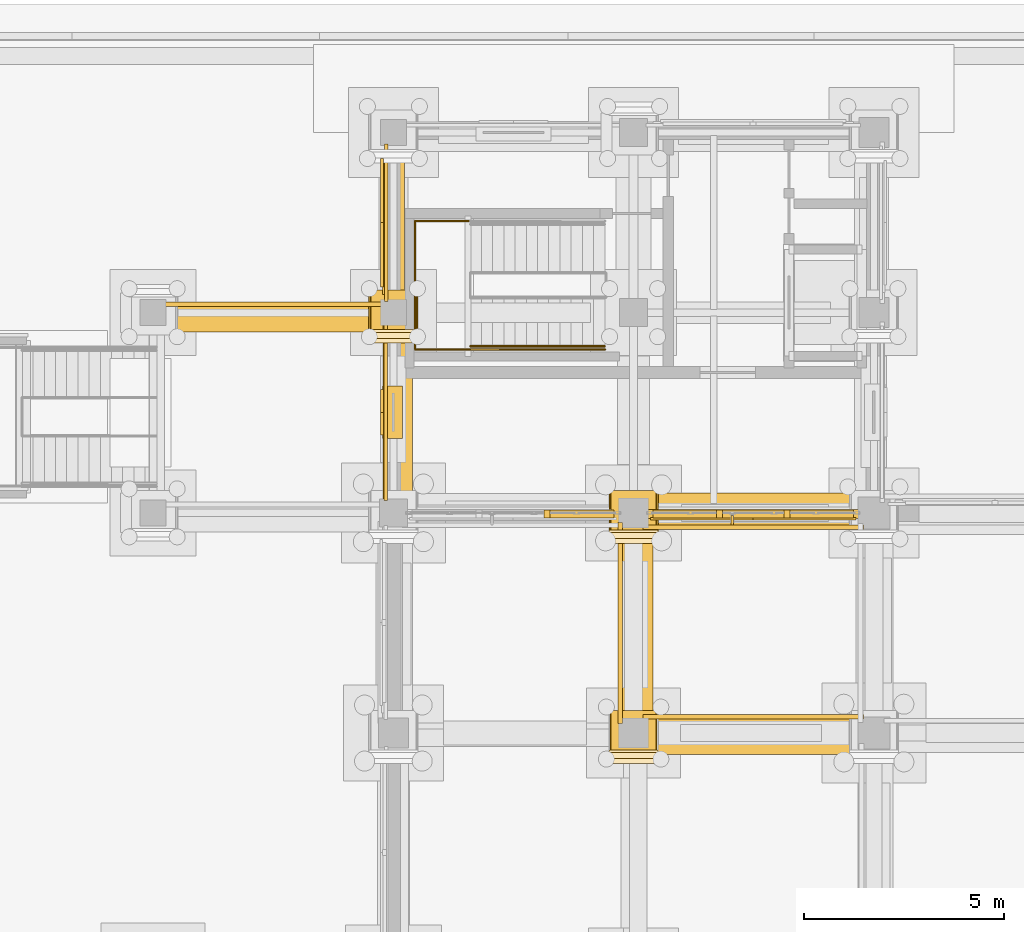
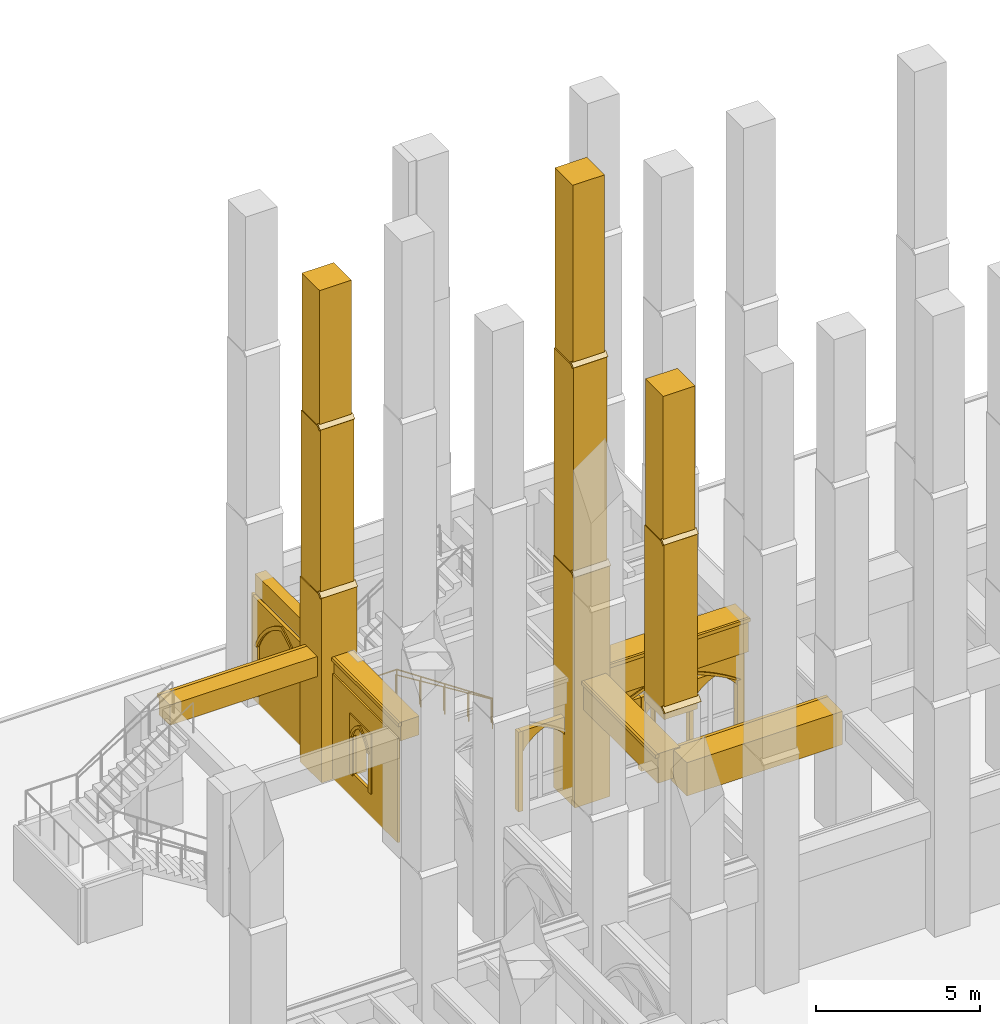
# One storey, part 90 of 135: 40 coverings, 3 railings, 1 shading device.
"""IFC4 building model written with IfcOpenShell, lengths in metres."""

from ifc_helpers import new_model, si_unit, direction, frame, origin, origin_2d, place, context, subcontext, project, spatial, polyline, rectangle, circle, outline, extrude, material, type_object, element, save


model = new_model("IFC4")

# Units and contexts
model_context = context("Model", 3, precision=1e-05, world=origin(), true_north=direction((0.0, 1.0)))
body_context = subcontext(model_context, "Body", "Model", "MODEL_VIEW")
ifc_project = project(units=[si_unit("LENGTHUNIT", "METRE"), si_unit("AREAUNIT", "SQUARE_METRE"), si_unit("VOLUMEUNIT", "CUBIC_METRE"), si_unit("PLANEANGLEUNIT", "RADIAN"), si_unit("MASSUNIT", "GRAM", prefix="KILO")], contexts=[model_context])

# Site, building, storey
site_placement = place(None, origin())
site = spatial("IfcSite", under=ifc_project, at=site_placement, CompositionType="ELEMENT")
building_placement = place(site_placement, origin())
building = spatial("IfcBuilding", under=site, at=building_placement, Name="Cumevento Cable Car Station", CompositionType="ELEMENT")
storey_placement = place(building_placement, origin())
storey = spatial("IfcBuildingStorey", under=building, at=storey_placement, Name="L01", CompositionType="ELEMENT", Elevation=0.0)

# Railings
ifc_material_1 = material(Name="Painted Galvanised Architectural Steel", Category="steel")
railing_type_1 = type_object("IfcRailingType", Name="Stair Guardrail GR-S115", PredefinedType="GUARDRAIL", material=ifc_material_1)
railing_1_placement = place(storey_placement, frame((23.919921875, 60.580078125, 2.25)))
element("IfcRailing", 1, at=railing_1_placement, inside=storey, type_object=railing_type_1, Name="Stair Half-Landing Guardrail ST-04-L01", PredefinedType="GUARDRAIL", context=body_context, shape_type="SweptSolid", body=[
    extrude(circle(Radius=0.02392578125, at=origin_2d()), frame((0.0, 0.0, 1.1259765625), z_axis=(-1.0, 0.0, 0.0), x_axis=(0.0, -1.0, 0.0)), (0.0, 0.0, 1.0), 1.3798828125),
    extrude(circle(Radius=0.02392578125, at=origin_2d()), frame((-1.3798828125, 0.0, 1.1259765625), z_axis=(0.0, 1.0, 0.0), x_axis=(-1.0, 0.0, 0.0)), (0.0, 0.0, 1.0), 3.2099609375),
    extrude(circle(Radius=0.02392578125, at=origin_2d()), frame((-1.3798828125, 3.2099609375, 1.1259765625), z_axis=(1.0, 0.0, 0.0), x_axis=(0.0, 1.0, 0.0)), (0.0, 0.0, 1.0), 1.3798828125),
    extrude(circle(Radius=0.02001953125, at=origin_2d()), origin(), (0.0, 0.0, 1.0), 1.101806640625),
    extrude(circle(Radius=0.02001953125, at=origin_2d()), frame((-0.68994140625, 0.0, 0.0)), (0.0, 0.0, 1.0), 1.101806640625),
    extrude(circle(Radius=0.02001953125, at=origin_2d()), frame((-1.3798828125, 0.0, 0.0)), (0.0, 0.0, 1.0), 1.101806640625),
    extrude(circle(Radius=0.02001953125, at=origin_2d()), frame((-1.3798828125, 0.802490234375, 0.0)), (0.0, 0.0, 1.0), 1.101806640625),
    extrude(circle(Radius=0.02001953125, at=origin_2d()), frame((-1.3798828125, 1.60498046875, 0.0)), (0.0, 0.0, 1.0), 1.101806640625),
    extrude(circle(Radius=0.02001953125, at=origin_2d()), frame((-1.3798828125, 2.407470703125, 0.0)), (0.0, 0.0, 1.0), 1.101806640625),
    extrude(circle(Radius=0.02001953125, at=origin_2d()), frame((-1.3798828125, 3.2099609375, 0.0)), (0.0, 0.0, 1.0), 1.101806640625),
    extrude(circle(Radius=0.02001953125, at=origin_2d()), frame((-0.68994140625, 3.2099609375, 0.0)), (0.0, 0.0, 1.0), 1.101806640625),
    extrude(circle(Radius=0.02001953125, at=origin_2d()), frame((0.0, 3.2099609375, 0.0)), (0.0, 0.0, 1.0), 1.101806640625),
])
railing_2_placement = place(storey_placement, frame((27.280029296875, 60.580078125, 0.0)))
element("IfcRailing", 2, at=railing_2_placement, inside=storey, type_object=railing_type_1, Name="Stair Outer Guardrail ST-04-L01 F1", PredefinedType="GUARDRAIL", context=body_context, shape_type="SweptSolid", body=[
    extrude(circle(Radius=0.02392578125, at=origin_2d()), frame((0.0, 0.0, 1.1259765625), z_axis=(-0.830915400975, 0.0, 0.556398774641), x_axis=(0.0, -1.0, 0.0)), (0.0, 0.0, 1.0), 4.0439453125),
    extrude(circle(Radius=0.02001953125, at=origin_2d()), origin(), (0.0, 0.0, 1.0), 1.101806640625),
    extrude(circle(Radius=0.02001953125, at=origin_2d()), frame((-0.840087890625, 0.0, 0.5625)), (0.0, 0.0, 1.0), 1.101806640625),
    extrude(circle(Radius=0.02001953125, at=origin_2d()), frame((-1.68017578125, 0.0, 1.125)), (0.0, 0.0, 1.0), 1.101806640625),
    extrude(circle(Radius=0.02001953125, at=origin_2d()), frame((-2.52001953125, 0.0, 1.6875)), (0.0, 0.0, 1.0), 1.101806640625),
    extrude(circle(Radius=0.02001953125, at=origin_2d()), frame((-3.360107421875, 0.0, 2.25)), (0.0, 0.0, 1.0), 1.101806640625),
])
ifc_material_2 = material(Name="Brushed Stainless Steel Handrail Tube", Category="steel")
railing_type_2 = type_object("IfcRailingType", Name="Stair Handrail HR-090", PredefinedType="HANDRAIL", material=ifc_material_2)
railing_3_placement = place(storey_placement, frame((27.280029296875, 60.659912109375, 0.17626953125)))
element("IfcRailing", 3, at=railing_3_placement, inside=storey, type_object=railing_type_2, Name="Stair Pitch Handrail ST-04-L01 F1", PredefinedType="HANDRAIL", context=body_context, shape_type="SweptSolid", body=[
    extrude(circle(Radius=0.02099609375, at=origin_2d()), frame((0.0, 0.0, 0.87890625), z_axis=(-0.850623216509, 0.0, 0.525775754039), x_axis=(0.0, -1.0, 0.0)), (0.0, 0.0, 1.0), 3.9501953125),
    extrude(circle(Radius=0.01611328125, at=origin_2d()), origin(), (0.0, 0.0, 1.0), 0.85791015625),
    extrude(circle(Radius=0.01611328125, at=origin_2d()), frame((-0.840087890625, 0.0, 0.519287109375)), (0.0, 0.0, 1.0), 0.85791015625),
    extrude(circle(Radius=0.01611328125, at=origin_2d()), frame((-1.68017578125, 0.0, 1.03857421875)), (0.0, 0.0, 1.0), 0.85791015625),
    extrude(circle(Radius=0.01611328125, at=origin_2d()), frame((-2.52001953125, 0.0, 1.5576171875)), (0.0, 0.0, 1.0), 0.85791015625),
    extrude(circle(Radius=0.01611328125, at=origin_2d()), frame((-3.360107421875, 0.0, 2.076904296875)), (0.0, 0.0, 1.0), 0.85791015625),
])

# Shading device
ifc_material_3 = material(Name="Anodised Bronze Aluminium AW-6063-T6", Category="aluminium")
shading_device_type = type_object("IfcShadingDeviceType", Name="Bronze Lancet Brise-Soleil BS-01", PredefinedType="JALOUSIE", material=ifc_material_3)
shading_device_placement = place(storey_placement, frame((30.465087890625, 56.320068359375, 0.2099609375), z_axis=(0.0, 0.0, 1.0), x_axis=(-1.0, 0.0, 0.0)))
element("IfcShadingDevice", 4, at=shading_device_placement, inside=storey, type_object=shading_device_type, Name="Bronze Lancet Solar Fin #12", PredefinedType="JALOUSIE", context=body_context, shape_type="SweptSolid", body=[
    extrude(rectangle(XDim=0.054931640625, YDim=0.239990234375, at=origin_2d()), origin(), (0.0, 0.0, 1.0), 3.1279296875),
])

# Coverings
ifc_material_4 = material(Name="Gnaisse Facoidal Stone Ashlar 85 MPa", Category="masonry")
covering_type = type_object("IfcCoveringType", Name="Gnaisse Ashlar Cladding CV-CL01", PredefinedType="CLADDING", material=ifc_material_4)
covering_1_placement = place(storey_placement, frame((22.0, 61.409912109375, -0.06005859375), z_axis=(0.0, 0.0, 1.0), x_axis=(1.0, 0.0, 0.0)))
element("IfcCovering", 5, at=covering_1_placement, inside=storey, type_object=covering_type, Name="Stepped Gothic Stone Buttress Tier 1 bt:22.0:61.5", PredefinedType="CLADDING", context=body_context, shape_type="SweptSolid", body=[
    extrude(rectangle(XDim=1.239990234375, YDim=1.300048828125, at=origin_2d()), origin(), (0.0, 0.0, 1.0), 6.885498046875),
])
covering_2_placement = place(storey_placement, frame((21.360107421875, 60.739990234375, 6.8056640625), z_axis=(0.0, -0.711135781079, 0.703054692658), x_axis=(1.0, 0.0, 0.0)))
element("IfcCovering", 6, at=covering_2_placement, inside=storey, type_object=covering_type, Name="Gothic Buttress Sloped Stone Weathering 1 bt:22.0:61.5", PredefinedType="CLADDING", context=body_context, shape_type="SweptSolid", body=[
    extrude(outline(polyline([(0.0, 0.0), (1.27978515625, 0.0), (1.27978515625, 0.24169083397703695), (0.0, 0.24169083397703695), (0.0, 0.0)])), origin(), (0.0, 0.0, -1.0), 0.090087890625),
])
covering_3_placement = place(storey_placement, frame((22.0, 61.469970703125, 6.46337890625), z_axis=(0.0, 0.0, 1.0), x_axis=(1.0, 0.0, 0.0)))
element("IfcCovering", 7, at=covering_3_placement, inside=storey, type_object=covering_type, Name="Stepped Gothic Stone Buttress Tier 2 bt:22.0:61.5", PredefinedType="CLADDING", context=body_context, shape_type="SweptSolid", body=[
    extrude(rectangle(XDim=1.179931640625, YDim=1.179931640625, at=origin_2d()), origin(), (0.0, 0.0, 1.0), 6.523193359375),
])
covering_4_placement = place(storey_placement, frame((21.389892578125, 60.860107421875, 12.96630859375), z_axis=(0.0, -0.714474823669, 0.699661151089), x_axis=(1.0, 0.0, 0.0)))
element("IfcCovering", 8, at=covering_4_placement, inside=storey, type_object=covering_type, Name="Gothic Buttress Sloped Stone Weathering 2 bt:22.0:61.5", PredefinedType="CLADDING", context=body_context, shape_type="SweptSolid", body=[
    extrude(outline(polyline([(0.0, 0.0), (1.22021484375, 0.0), (1.22021484375, 0.21424991728737655), (0.0, 0.21424991728737655), (0.0, 0.0)])), origin(), (0.0, 0.0, -1.0), 0.090087890625),
])
covering_5_placement = place(storey_placement, frame((22.0, 61.52001953125, 12.6240234375), z_axis=(0.0, 0.0, 1.0), x_axis=(1.0, 0.0, 0.0)))
element("IfcCovering", 9, at=covering_5_placement, inside=storey, type_object=covering_type, Name="Stepped Gothic Stone Buttress Tier 3 bt:22.0:61.5", PredefinedType="CLADDING", context=body_context, shape_type="SweptSolid", body=[
    extrude(rectangle(XDim=1.1201171875, YDim=1.080078125, at=origin_2d()), origin(), (0.0, 0.0, 1.0), 5.43603515625),
])
covering_6_placement = place(storey_placement, frame((27.360107421875, 50.239990234375, 6.8056640625), z_axis=(0.0, -0.711135781079, 0.703054692658), x_axis=(1.0, 0.0, 0.0)))
element("IfcCovering", 10, at=covering_6_placement, inside=storey, type_object=covering_type, Name="Gothic Buttress Sloped Stone Weathering 1 bt:28.0:51.0", PredefinedType="CLADDING", context=body_context, shape_type="SweptSolid", body=[
    extrude(outline(polyline([(0.0, 0.0), (1.27978515625, 0.0), (1.27978515625, 0.24169083397703695), (0.0, 0.24169083397703695), (0.0, 0.0)])), origin(), (0.0, 0.0, -1.0), 0.090087890625),
])
covering_7_placement = place(storey_placement, frame((28.0, 50.969970703125, 6.46337890625), z_axis=(0.0, 0.0, 1.0), x_axis=(1.0, 0.0, 0.0)))
element("IfcCovering", 11, at=covering_7_placement, inside=storey, type_object=covering_type, Name="Stepped Gothic Stone Buttress Tier 2 bt:28.0:51.0", PredefinedType="CLADDING", context=body_context, shape_type="SweptSolid", body=[
    extrude(rectangle(XDim=1.179931640625, YDim=1.179931640625, at=origin_2d()), origin(), (0.0, 0.0, 1.0), 6.523193359375),
])
covering_8_placement = place(storey_placement, frame((27.389892578125, 50.360107421875, 12.96630859375), z_axis=(0.0, -0.714474823669, 0.699661151089), x_axis=(1.0, 0.0, 0.0)))
element("IfcCovering", 12, at=covering_8_placement, inside=storey, type_object=covering_type, Name="Gothic Buttress Sloped Stone Weathering 2 bt:28.0:51.0", PredefinedType="CLADDING", context=body_context, shape_type="SweptSolid", body=[
    extrude(outline(polyline([(0.0, 0.0), (1.22021484375, 0.0), (1.22021484375, 0.21424991728737655), (0.0, 0.21424991728737655), (0.0, 0.0)])), origin(), (0.0, 0.0, -1.0), 0.090087890625),
])
covering_9_placement = place(storey_placement, frame((28.0, 51.02001953125, 12.6240234375), z_axis=(0.0, 0.0, 1.0), x_axis=(1.0, 0.0, 0.0)))
element("IfcCovering", 13, at=covering_9_placement, inside=storey, type_object=covering_type, Name="Stepped Gothic Stone Buttress Tier 3 bt:28.0:51.0", PredefinedType="CLADDING", context=body_context, shape_type="SweptSolid", body=[
    extrude(rectangle(XDim=1.1201171875, YDim=1.080078125, at=origin_2d()), origin(), (0.0, 0.0, 1.0), 5.77587890625),
])
covering_10_placement = place(storey_placement, frame((28.0, 56.409912109375, -0.06005859375), z_axis=(0.0, 0.0, 1.0), x_axis=(1.0, 0.0, 0.0)))
element("IfcCovering", 14, at=covering_10_placement, inside=storey, type_object=covering_type, Name="Stepped Gothic Stone Buttress Tier 1 bt:28.0:56.5", PredefinedType="CLADDING", context=body_context, shape_type="SweptSolid", body=[
    extrude(rectangle(XDim=1.239990234375, YDim=1.300048828125, at=origin_2d()), origin(), (0.0, 0.0, 1.0), 8.595703125),
])
covering_11_placement = place(storey_placement, frame((27.360107421875, 55.739990234375, 8.515625), z_axis=(0.0, -0.711135781079, 0.703054692658), x_axis=(1.0, 0.0, 0.0)))
element("IfcCovering", 15, at=covering_11_placement, inside=storey, type_object=covering_type, Name="Gothic Buttress Sloped Stone Weathering 1 bt:28.0:56.5", PredefinedType="CLADDING", context=body_context, shape_type="SweptSolid", body=[
    extrude(outline(polyline([(0.0, 0.0), (1.27978515625, 0.0), (1.27978515625, 0.24169083397703695), (0.0, 0.24169083397703695), (0.0, 0.0)])), origin(), (0.0, 0.0, -1.0), 0.090087890625),
])
covering_12_placement = place(storey_placement, frame((28.0, 56.469970703125, 8.0830078125), z_axis=(0.0, 0.0, 1.0), x_axis=(1.0, 0.0, 0.0)))
element("IfcCovering", 16, at=covering_12_placement, inside=storey, type_object=covering_type, Name="Stepped Gothic Stone Buttress Tier 2 bt:28.0:56.5", PredefinedType="CLADDING", context=body_context, shape_type="SweptSolid", body=[
    extrude(rectangle(XDim=1.179931640625, YDim=1.179931640625, at=origin_2d()), origin(), (0.0, 0.0, 1.0), 8.143310546875),
])
covering_13_placement = place(storey_placement, frame((27.389892578125, 55.860107421875, 16.206298828125), z_axis=(0.0, -0.714474823669, 0.699661151089), x_axis=(1.0, 0.0, 0.0)))
element("IfcCovering", 17, at=covering_13_placement, inside=storey, type_object=covering_type, Name="Gothic Buttress Sloped Stone Weathering 2 bt:28.0:56.5", PredefinedType="CLADDING", context=body_context, shape_type="SweptSolid", body=[
    extrude(outline(polyline([(0.0, 0.0), (1.22021484375, 0.0), (1.22021484375, 0.21424991728737655), (0.0, 0.21424991728737655), (0.0, 0.0)])), origin(), (0.0, 0.0, -1.0), 0.090087890625),
])
covering_14_placement = place(storey_placement, frame((28.0, 56.52001953125, 15.77392578125), z_axis=(0.0, 0.0, 1.0), x_axis=(1.0, 0.0, 0.0)))
element("IfcCovering", 18, at=covering_14_placement, inside=storey, type_object=covering_type, Name="Stepped Gothic Stone Buttress Tier 3 bt:28.0:56.5", PredefinedType="CLADDING", context=body_context, shape_type="SweptSolid", body=[
    extrude(rectangle(XDim=1.1201171875, YDim=1.080078125, at=origin_2d()), origin(), (0.0, 0.0, 1.0), 7.1259765625),
])
covering_15_placement = place(storey_placement, frame((30.987548828125, 50.919921875, 3.2900390625), z_axis=(0.0, 0.0, 1.0), x_axis=(1.0, 0.0, 0.0)))
element("IfcCovering", 19, at=covering_15_placement, inside=storey, type_object=covering_type, Name="Gothic Stone Spandrel Stringcourse sc:0082", PredefinedType="CLADDING", context=body_context, shape_type="SweptSolid", body=[
    extrude(rectangle(XDim=5.465087890625, YDim=0.919921875, at=origin_2d()), origin(), (0.0, 0.0, 1.0), 1.239990234375),
])
covering_16_placement = place(storey_placement, frame((30.987548828125, 51.407470703125, 4.400146484375), z_axis=(0.0, 0.0, 1.0), x_axis=(1.0, 0.0, 0.0)))
element("IfcCovering", 20, at=covering_16_placement, inside=storey, type_object=covering_type, Name="Gothic Cornice Dripstone Lip sc:0082", PredefinedType="CLADDING", context=body_context, shape_type="SweptSolid", body=[
    extrude(rectangle(XDim=5.5048828125, YDim=0.114990234375, at=origin_2d()), origin(), (0.0, 0.0, 1.0), 0.1298828125),
])
covering_17_placement = place(storey_placement, frame((30.987548828125, 56.580078125, 3.278076171875), z_axis=(0.0, 0.0, 1.0), x_axis=(-1.0, 0.0, 0.0)))
element("IfcCovering", 21, at=covering_17_placement, inside=storey, type_object=covering_type, Name="Gothic Stone Spandrel Stringcourse sc:0087", PredefinedType="CLADDING", context=body_context, shape_type="SweptSolid", body=[
    extrude(rectangle(XDim=5.465087890625, YDim=0.820068359375, at=origin_2d()), origin(), (0.0, 0.0, 1.0), 1.2900390625),
])
covering_18_placement = place(storey_placement, frame((30.987548828125, 56.142578125, 4.43798828125), z_axis=(0.0, 0.0, 1.0), x_axis=(-1.0, 0.0, 0.0)))
element("IfcCovering", 22, at=covering_18_placement, inside=storey, type_object=covering_type, Name="Gothic Cornice Dripstone Lip sc:0087", PredefinedType="CLADDING", context=body_context, shape_type="SweptSolid", body=[
    extrude(rectangle(XDim=5.5048828125, YDim=0.114990234375, at=origin_2d()), origin(), (0.0, 0.0, 1.0), 0.1298828125),
])
covering_19_placement = place(storey_placement, frame((28.08740234375, 53.75, 3.47802734375), z_axis=(0.0, 0.0, 1.0), x_axis=(0.0, 1.0, 0.0)))
element("IfcCovering", 23, at=covering_19_placement, inside=storey, type_object=covering_type, Name="Gothic Stone Spandrel Stringcourse sc:0094", PredefinedType="CLADDING", context=body_context, shape_type="SweptSolid", body=[
    extrude(rectangle(XDim=4.989990234375, YDim=0.784912109375, at=origin_2d()), origin(), (0.0, 0.0, 1.0), 1.090087890625),
])
covering_20_placement = place(storey_placement, frame((27.66748046875, 53.75, 4.43798828125), z_axis=(0.0, 0.0, 1.0), x_axis=(0.0, 1.0, 0.0)))
element("IfcCovering", 24, at=covering_20_placement, inside=storey, type_object=covering_type, Name="Gothic Cornice Dripstone Lip sc:0094", PredefinedType="CLADDING", context=body_context, shape_type="SweptSolid", body=[
    extrude(rectangle(XDim=5.030029296875, YDim=0.114990234375, at=origin_2d()), origin(), (0.0, 0.0, 1.0), 0.1298828125),
])
covering_21_placement = place(storey_placement, frame((22.14990234375, 59.012451171875, 3.783203125), z_axis=(0.0, 0.0, 1.0), x_axis=(0.0, 1.0, 0.0)))
element("IfcCovering", 25, at=covering_21_placement, inside=storey, type_object=covering_type, Name="Gothic Stone Spandrel Stringcourse sc:0105", PredefinedType="CLADDING", context=body_context, shape_type="SweptSolid", body=[
    extrude(rectangle(XDim=4.56494140625, YDim=0.659912109375, at=origin_2d()), origin(), (0.0, 0.0, 1.0), 0.697021484375),
])
covering_22_placement = place(storey_placement, frame((21.79248046875, 59.012451171875, 4.35009765625), z_axis=(0.0, 0.0, 1.0), x_axis=(0.0, 1.0, 0.0)))
element("IfcCovering", 26, at=covering_22_placement, inside=storey, type_object=covering_type, Name="Gothic Cornice Dripstone Lip sc:0105", PredefinedType="CLADDING", context=body_context, shape_type="SweptSolid", body=[
    extrude(rectangle(XDim=4.60498046875, YDim=0.114990234375, at=origin_2d()), origin(), (0.0, 0.0, 1.0), 0.1298828125),
])
covering_23_placement = place(storey_placement, frame((22.090087890625, 63.75, 3.782958984375), z_axis=(0.0, 0.0, 1.0), x_axis=(0.0, 1.0, 0.0)))
element("IfcCovering", 27, at=covering_23_placement, inside=storey, type_object=covering_type, Name="Gothic Stone Spandrel Stringcourse sc:0106", PredefinedType="CLADDING", context=body_context, shape_type="SweptSolid", body=[
    extrude(rectangle(XDim=3.909912109375, YDim=0.3798828125, at=origin_2d()), origin(), (0.0, 0.0, 1.0), 0.7470703125),
])
covering_24_placement = place(storey_placement, frame((19.0, 61.35009765625, 3.73291015625), z_axis=(0.0, 0.0, 1.0), x_axis=(1.0, 0.0, 0.0)))
element("IfcCovering", 28, at=covering_24_placement, inside=storey, type_object=covering_type, Name="Gothic Stone Spandrel Stringcourse sc:0841", PredefinedType="CLADDING", context=body_context, shape_type="SweptSolid", body=[
    extrude(rectangle(XDim=5.590087890625, YDim=0.659912109375, at=origin_2d()), origin(), (0.0, 0.0, 1.0), 0.7470703125),
])
covering_25_placement = place(storey_placement, frame((19.0, 61.70751953125, 4.35009765625), z_axis=(0.0, 0.0, 1.0), x_axis=(1.0, 0.0, 0.0)))
element("IfcCovering", 29, at=covering_25_placement, inside=storey, type_object=covering_type, Name="Gothic Cornice Dripstone Lip sc:0841", PredefinedType="CLADDING", context=body_context, shape_type="SweptSolid", body=[
    extrude(rectangle(XDim=5.6298828125, YDim=0.114990234375, at=origin_2d()), origin(), (0.0, 0.0, 1.0), 0.1298828125),
])
covering_26_placement = place(storey_placement, frame((27.625, 56.5, 0.0), z_axis=(0.0, 0.0, 1.0), x_axis=(-1.0, 0.0, 0.0)))
element("IfcCovering", 30, at=covering_26_placement, inside=storey, type_object=covering_type, Name="Gothic Bifora Stone Colonnette cw_ogival:0016 #1", PredefinedType="CLADDING", context=body_context, shape_type="SweptSolid", body=[
    extrude(outline(polyline([(1.711669921875, -0.02001953125), (1.861572265625, -0.02001953125), (1.861572265625, 2.943115234375), (1.711669921875, 2.943115234375), (1.711669921875, -0.02001953125)])), frame((0.0, 0.1279296875, 0.0), z_axis=(0.0, -1.0, 0.0), x_axis=(1.0, 0.0, 0.0)), (0.0, 0.0, 1.0), 0.205078125),
])
covering_27_placement = place(storey_placement, frame((27.4951171875, 56.5, 2.181640625), z_axis=(0.0, 0.0, 1.0), x_axis=(-1.0, 0.0, 0.0)))
element("IfcCovering", 31, at=covering_27_placement, inside=storey, type_object=covering_type, Name="Gothic Ogival Pointed-Arch Stone Spandrel cw_ogival:0016:sub:0", PredefinedType="CLADDING", context=body_context, shape_type="SweptSolid", body=[
    extrude(outline(polyline([(-0.02001953125, 0.0), (-0.02001953125, 0.76171875), (1.631591796875, 0.76171875), (1.631591796875, 0.0), (1.57177734375, 0.0), (1.47509765625, 0.13916015625), (1.3642578125, 0.267333984375), (1.240478515625, 0.3828125), (1.105224609375, 0.484375), (0.959716796875, 0.571044921875), (0.805908203125, 0.6416015625), (0.65185546875, 0.571044921875), (0.50634765625, 0.484375), (0.37109375, 0.3828125), (0.247314453125, 0.267333984375), (0.136474609375, 0.13916015625), (0.0400390625, 0.0), (-0.02001953125, 0.0)])), frame((0.0, 0.1240234375, 0.0), z_axis=(0.0, -1.0, 0.0), x_axis=(1.0, 0.0, 0.0)), (0.0, 0.0, 1.0), 0.199951171875),
])
placement = place(storey_placement, frame((33.60009765625, 56.5, 0.0), z_axis=(0.0, 0.0, 1.0), x_axis=(-1.0, 0.0, 0.0)))
element("IfcCovering", 32, at=placement, inside=storey, type_object=covering_type, Name="Gothic Ogival Pointed-Arch Stone Spandrel cw_ogival:0017", PredefinedType="CLADDING", context=body_context, shape_type="SweptSolid", body=[
    extrude(outline(polyline([(-0.080078125, 0.0), (-0.080078125, 3.41796875), (5.304931640625, 3.41796875), (5.304931640625, 0.0), (5.06494140625, 0.0), (5.06494140625, 2.2119140625), (4.780517578125, 2.384765625), (4.48828125, 2.544921875), (4.189208984375, 2.691650390625), (3.884033203125, 2.824951171875), (3.572998046875, 2.944580078125), (3.257080078125, 3.050048828125), (2.936767578125, 3.14111328125), (2.612548828125, 3.218017578125), (2.288330078125, 3.14111328125), (1.968017578125, 3.050048828125), (1.652099609375, 2.944580078125), (1.341064453125, 2.824951171875), (1.035888671875, 2.691650390625), (0.73681640625, 2.544921875), (0.444580078125, 2.384765625), (0.159912109375, 2.2119140625), (0.159912109375, 0.0), (-0.080078125, 0.0)])), frame((0.0, 0.139892578125, 0.0), z_axis=(0.0, -1.0, 0.0), x_axis=(1.0, 0.0, 0.0)), (0.0, 0.0, 1.0), 0.219970703125),
])
covering_29_placement = place(storey_placement, frame((33.60009765625, 56.5, 2.2119140625), z_axis=(0.0, 0.0, 1.0), x_axis=(-1.0, 0.0, 0.0)))
element("IfcCovering", 33, at=covering_29_placement, inside=storey, type_object=covering_type, Name="Gothic Pointed Archivolt Hood Moulding cw_ogival:0017", PredefinedType="CLADDING", context=body_context, shape_type="SweptSolid", body=[
    extrude(outline(polyline([(0.159912109375, 0.0), (0.444580078125, 0.1728515625), (0.73681640625, 0.3330078125), (1.035888671875, 0.479736328125), (1.341064453125, 0.613037109375), (1.652099609375, 0.732666015625), (1.968017578125, 0.838134765625), (2.288330078125, 0.92919921875), (2.612548828125, 1.006103515625), (2.936767578125, 0.92919921875), (3.257080078125, 0.838134765625), (3.572998046875, 0.732666015625), (3.884033203125, 0.613037109375), (4.189208984375, 0.479736328125), (4.48828125, 0.3330078125), (4.780517578125, 0.1728515625), (5.06494140625, 0.0), (5.175048828125, 0.0), (4.881591796875, 0.196044921875), (4.578857421875, 0.37744140625), (4.267822265625, 0.54443359375), (3.94921875, 0.69580078125), (3.62353515625, 0.831787109375), (3.291748046875, 0.9521484375), (2.95458984375, 1.055908203125), (2.612548828125, 1.1435546875), (2.2705078125, 1.055908203125), (1.933349609375, 0.9521484375), (1.6015625, 0.831787109375), (1.27587890625, 0.69580078125), (0.957275390625, 0.54443359375), (0.646240234375, 0.37744140625), (0.343505859375, 0.196044921875), (0.050048828125, 0.0), (0.159912109375, 0.0)])), frame((0.0, 0.181884765625, 0.0), z_axis=(0.0, -1.0, 0.0), x_axis=(1.0, 0.0, 0.0)), (0.0, 0.0, 1.0), 0.06689453125),
])
element("IfcCovering", 34, at=placement, inside=storey, type_object=covering_type, Name="Gothic Bifora Stone Colonnette cw_ogival:0017 #1", PredefinedType="CLADDING", context=body_context, shape_type="SweptSolid", body=[
    extrude(outline(polyline([(1.695068359375, -0.02001953125), (1.844970703125, -0.02001953125), (1.844970703125, 2.735107421875), (1.695068359375, 2.735107421875), (1.695068359375, -0.02001953125)])), frame((0.0, 0.1279296875, 0.0), z_axis=(0.0, -1.0, 0.0), x_axis=(1.0, 0.0, 0.0)), (0.0, 0.0, 1.0), 0.205078125),
])
element("IfcCovering", 35, at=placement, inside=storey, type_object=covering_type, Name="Gothic Bifora Stone Colonnette cw_ogival:0017 #2", PredefinedType="CLADDING", context=body_context, shape_type="SweptSolid", body=[
    extrude(outline(polyline([(3.3798828125, -0.02001953125), (3.530029296875, -0.02001953125), (3.530029296875, 2.735107421875), (3.3798828125, 2.735107421875), (3.3798828125, -0.02001953125)])), frame((0.0, 0.1279296875, 0.0), z_axis=(0.0, -1.0, 0.0), x_axis=(1.0, 0.0, 0.0)), (0.0, 0.0, 1.0), 0.205078125),
])
for number, where, z_axis, x_axis, name in (
    (36, (33.469970703125, 56.5, 2.031982421875), (0.0, 0.0, 1.0), (-1.0, 0.0, 0.0), "Gothic Ogival Pointed-Arch Stone Spandrel cw_ogival:0017:sub:0"),
    (37, (31.784912109375, 56.5, 2.031982421875), (0.0, 0.0, 1.0), (-1.0, 0.0, 0.0), "Gothic Ogival Pointed-Arch Stone Spandrel cw_ogival:0017:sub:1"),
    (38, (30.10009765625, 56.5, 2.031982421875), (0.0, 0.0, 1.0), (-1.0, 0.0, 0.0), "Gothic Ogival Pointed-Arch Stone Spandrel cw_ogival:0017:sub:2"),
):
    element("IfcCovering", number, at=place(storey_placement, frame(where, z_axis=z_axis, x_axis=x_axis)), inside=storey, type_object=covering_type, Name=name, PredefinedType="CLADDING", context=body_context, shape_type="SweptSolid", body=[
        extrude(outline(polyline([(-0.02001953125, 0.0), (-0.02001953125, 0.703125), (1.614990234375, 0.703125), (1.614990234375, 0.0), (1.554931640625, 0.0), (1.455322265625, 0.12744140625), (1.343505859375, 0.244140625), (1.220458984375, 0.34912109375), (1.087646484375, 0.441162109375), (0.946044921875, 0.51953125), (0.797607421875, 0.583251953125), (0.64892578125, 0.51953125), (0.50732421875, 0.441162109375), (0.37451171875, 0.34912109375), (0.25146484375, 0.244140625), (0.1396484375, 0.12744140625), (0.0400390625, 0.0), (-0.02001953125, 0.0)])), frame((0.0, 0.1240234375, 0.0), z_axis=(0.0, -1.0, 0.0), x_axis=(1.0, 0.0, 0.0)), (0.0, 0.0, 1.0), 0.199951171875),
    ])
covering_32_placement = place(storey_placement, frame((22.0, 56.85009765625, 0.0), z_axis=(0.0, 0.0, 1.0), x_axis=(0.0, 1.0, 0.0)))
element("IfcCovering", 39, at=covering_32_placement, inside=storey, type_object=covering_type, Name="Exterior Gnaisse Stone Wall Ashlar #152", PredefinedType="CLADDING", context=body_context, shape_type="SweptSolid", body=[
    extrude(outline(polyline([(-0.0400390625, -0.02001953125), (4.364990234375, -0.02001953125), (4.364990234375, 3.863037109375), (-0.0400390625, 3.863037109375), (-0.0400390625, -0.02001953125)]), holes=[polyline([(1.697509765625, 0.909912109375), (2.62744140625, 0.909912109375), (2.62744140625, 2.840087890625), (1.697509765625, 2.840087890625), (1.697509765625, 0.909912109375)])]), frame((0.0, 0.237548828125, 0.0), z_axis=(0.0, -1.0, 0.0), x_axis=(1.0, 0.0, 0.0)), (0.0, 0.0, 1.0), 0.0849609375),
])
covering_33_placement = place(storey_placement, frame((22.0, 58.3974609375, 0.85009765625), z_axis=(0.0, 0.0, 1.0), x_axis=(0.0, 1.0, 0.0)))
element("IfcCovering", 40, at=covering_33_placement, inside=storey, type_object=covering_type, Name="Gothic Ogival Pointed-Arch Stone Spandrel op_ogival:0152:1", PredefinedType="CLADDING", context=body_context, shape_type="SweptSolid", body=[
    extrude(outline(polyline([(-0.0400390625, 0.0), (-0.0400390625, 2.219970703125), (1.27001953125, 2.219970703125), (1.27001953125, 0.0), (1.090087890625, 0.0), (1.090087890625, 1.4541015625), (1.053955078125, 1.55859375), (1.006103515625, 1.65869140625), (0.947021484375, 1.752197265625), (0.877197265625, 1.83837890625), (0.7978515625, 1.915771484375), (0.7099609375, 1.983154296875), (0.614990234375, 2.039794921875), (0.52001953125, 1.983154296875), (0.43212890625, 1.915771484375), (0.352783203125, 1.83837890625), (0.282958984375, 1.752197265625), (0.223876953125, 1.65869140625), (0.176025390625, 1.55859375), (0.139892578125, 1.4541015625), (0.139892578125, 0.0), (-0.0400390625, 0.0)])), frame((0.0, 0.275390625, 0.0), z_axis=(0.0, -1.0, 0.0), x_axis=(1.0, 0.0, 0.0)), (0.0, 0.0, 1.0), 0.5048828125),
])
covering_34_placement = place(storey_placement, frame((22.0, 58.3974609375, 2.303955078125), z_axis=(0.0, 0.0, 1.0), x_axis=(0.0, 1.0, 0.0)))
element("IfcCovering", 41, at=covering_34_placement, inside=storey, type_object=covering_type, Name="Gothic Pointed Archivolt Hood Moulding op_ogival:0152:1", PredefinedType="CLADDING", context=body_context, shape_type="SweptSolid", body=[
    extrude(outline(polyline([(0.139892578125, 0.0), (0.176025390625, 0.104736328125), (0.223876953125, 0.20458984375), (0.282958984375, 0.29833984375), (0.352783203125, 0.38427734375), (0.43212890625, 0.461669921875), (0.52001953125, 0.529052734375), (0.614990234375, 0.5859375), (0.7099609375, 0.529052734375), (0.7978515625, 0.461669921875), (0.877197265625, 0.38427734375), (0.947021484375, 0.29833984375), (1.006103515625, 0.20458984375), (1.053955078125, 0.104736328125), (1.090087890625, 0.0), (1.18896484375, 0.0), (1.145751953125, 0.126953125), (1.087890625, 0.247802734375), (1.016357421875, 0.361083984375), (0.93212890625, 0.46533203125), (0.836181640625, 0.55908203125), (0.72998046875, 0.640869140625), (0.614990234375, 0.709716796875), (0.5, 0.640869140625), (0.393798828125, 0.55908203125), (0.2978515625, 0.46533203125), (0.213623046875, 0.361083984375), (0.14208984375, 0.247802734375), (0.084228515625, 0.126953125), (0.041015625, 0.0), (0.139892578125, 0.0)])), frame((0.0, 0.3173828125, 0.0), z_axis=(0.0, -1.0, 0.0), x_axis=(1.0, 0.0, 0.0)), (0.0, 0.0, 1.0), 0.06689453125),
])
covering_35_placement = place(storey_placement, frame((22.0, 61.824951171875, 0.0), z_axis=(0.0, 0.0, 1.0), x_axis=(0.0, 1.0, 0.0)))
element("IfcCovering", 42, at=covering_35_placement, inside=storey, type_object=covering_type, Name="Exterior Gnaisse Stone Wall Ashlar #154", PredefinedType="CLADDING", context=body_context, shape_type="SweptSolid", body=[
    extrude(outline(polyline([(-0.0400390625, -0.02001953125), (3.889892578125, -0.02001953125), (3.889892578125, 3.863037109375), (-0.0400390625, 3.863037109375), (-0.0400390625, -0.02001953125)])), frame((0.0, 0.222412109375, 0.0), z_axis=(0.0, -1.0, 0.0), x_axis=(1.0, 0.0, 0.0)), (0.0, 0.0, 1.0), 0.0849609375),
])
covering_36_placement = place(storey_placement, frame((22.0, 62.0048828125, 0.300048828125), z_axis=(0.0, 0.0, 1.0), x_axis=(0.0, 1.0, 0.0)))
element("IfcCovering", 43, at=covering_36_placement, inside=storey, type_object=covering_type, Name="Gothic Ogival Pointed-Arch Stone Spandrel blind_ogival:0154", PredefinedType="CLADDING", context=body_context, shape_type="SweptSolid", body=[
    extrude(outline(polyline([(-0.050048828125, 0.0), (-0.050048828125, 3.5830078125), (3.5400390625, 3.5830078125), (3.5400390625, 0.0), (3.22998046875, 0.0), (3.22998046875, 1.85205078125), (3.091552734375, 2.128662109375), (2.92529296875, 2.389404296875), (2.732666015625, 2.631591796875), (2.515625, 2.85205078125), (2.277099609375, 3.048828125), (2.019287109375, 3.2197265625), (1.7451171875, 3.363037109375), (1.470703125, 3.2197265625), (1.212890625, 3.048828125), (0.974365234375, 2.85205078125), (0.75732421875, 2.631591796875), (0.564697265625, 2.389404296875), (0.3984375, 2.128662109375), (0.260009765625, 1.85205078125), (0.260009765625, 0.0), (-0.050048828125, 0.0)])), frame((0.0, 0.277587890625, 0.0), z_axis=(0.0, -1.0, 0.0), x_axis=(1.0, 0.0, 0.0)), (0.0, 0.0, 1.0), 0.110107421875),
])
covering_37_placement = place(storey_placement, frame((22.0, 62.0048828125, 2.152099609375), z_axis=(0.0, 0.0, 1.0), x_axis=(0.0, 1.0, 0.0)))
element("IfcCovering", 44, at=covering_37_placement, inside=storey, type_object=covering_type, Name="Gothic Pointed Archivolt Hood Moulding blind_ogival:0154", PredefinedType="CLADDING", context=body_context, shape_type="SweptSolid", body=[
    extrude(outline(polyline([(0.260009765625, 0.0), (0.3984375, 0.276611328125), (0.564697265625, 0.537353515625), (0.75732421875, 0.779541015625), (0.974365234375, 1.0), (1.212890625, 1.19677734375), (1.470703125, 1.36767578125), (1.7451171875, 1.510986328125), (2.019287109375, 1.36767578125), (2.277099609375, 1.19677734375), (2.515625, 1.0), (2.732666015625, 0.779541015625), (2.92529296875, 0.537353515625), (3.091552734375, 0.276611328125), (3.22998046875, 0.0), (3.35107421875, 0.0), (3.20361328125, 0.3037109375), (3.02490234375, 0.59033203125), (2.8173828125, 0.8564453125), (2.582763671875, 1.099365234375), (2.32373046875, 1.316162109375), (2.04345703125, 1.50439453125), (1.7451171875, 1.662109375), (1.446533203125, 1.50439453125), (1.166259765625, 1.316162109375), (0.9072265625, 1.099365234375), (0.672607421875, 0.8564453125), (0.465087890625, 0.59033203125), (0.286376953125, 0.3037109375), (0.138916015625, 0.0), (0.260009765625, 0.0)])), frame((0.0, 0.319580078125, 0.0), z_axis=(0.0, -1.0, 0.0), x_axis=(1.0, 0.0, 0.0)), (0.0, 0.0, 1.0), 0.06689453125),
])

save(model, "model.ifc")
